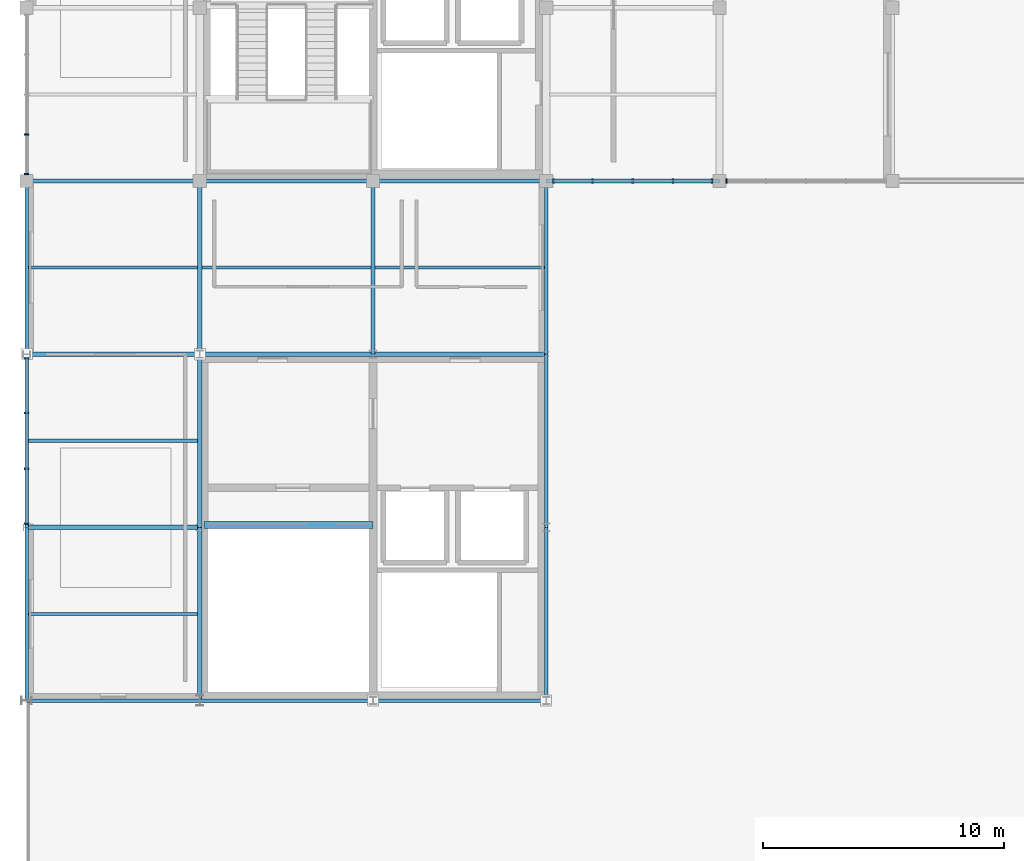
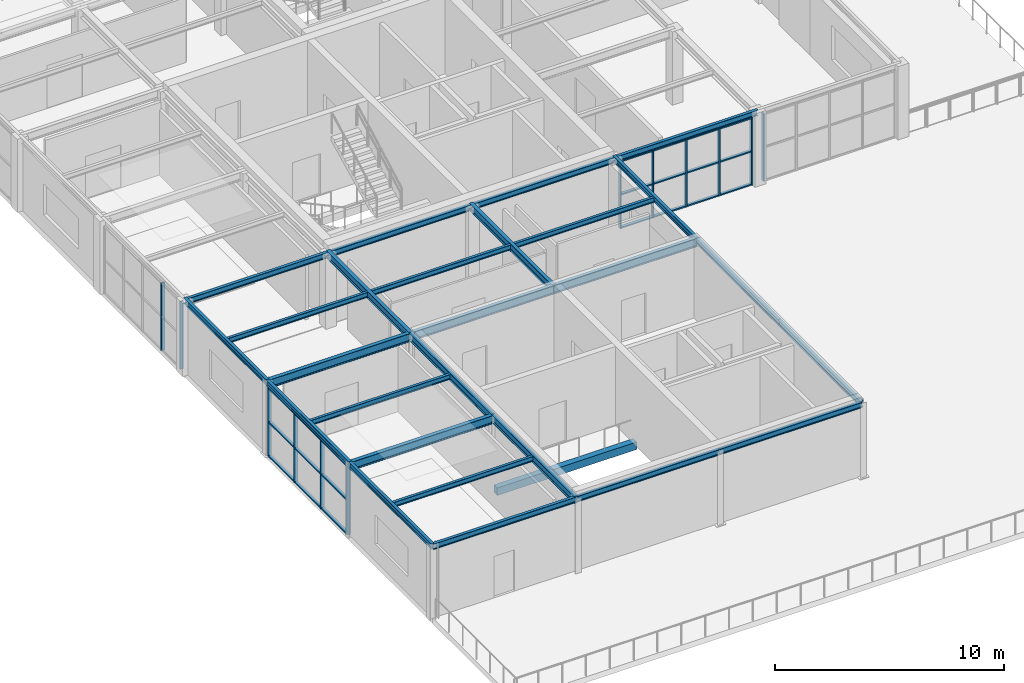
# One storey, part 7 of 30: 27 beams, 18 members, 4 elements without a shape of their own.
"""IFC4 building model written with IfcOpenShell, lengths in metres."""

from ifc_helpers import new_model, si_unit, direction, frame, origin, origin_2d, place, context, subcontext, project, spatial, rectangle, i_section, extrude, material, material_profile, profile_set, type_object, element, aggregate, save


model = new_model("IFC4")

# Units and contexts
model_context = context("Model", 3, precision=1e-05, world=origin(), true_north=direction((0.0, 1.0)))
body_context = subcontext(model_context, "Body", "Model", "MODEL_VIEW")
ifc_project = project(units=[si_unit("LENGTHUNIT", "METRE"), si_unit("AREAUNIT", "SQUARE_METRE"), si_unit("VOLUMEUNIT", "CUBIC_METRE"), si_unit("PLANEANGLEUNIT", "RADIAN"), si_unit("MASSUNIT", "GRAM", prefix="KILO")], contexts=[model_context])

# Site, building, storey
site_placement = place(None, origin())
site = spatial("IfcSite", under=ifc_project, at=site_placement, CompositionType="ELEMENT")
building_placement = place(site_placement, origin())
building = spatial("IfcBuilding", under=site, at=building_placement, Name="Leyfeld Transit Interchange", CompositionType="ELEMENT")
storey_placement = place(building_placement, frame((0.0, 0.0, 13.800048828125)))
storey = spatial("IfcBuildingStorey", under=building, at=storey_placement, Name="L03", CompositionType="ELEMENT", Elevation=13.800048828125)

# Beams
ifc_material_1 = material(Name="Concrete C35/45", Category="concrete")
ifc_material_profile_1 = material_profile(ifc_material_1, rectangle(XDim=0.300048828125, YDim=0.39990234375, at=origin_2d()), Name="RC 400x300")
ifc_profile_set_1 = profile_set([ifc_material_profile_1], Name="Concrete C35/45")
beam_type_1 = type_object("IfcBeamType", Name="BM-RC-400x300", PredefinedType="LINTEL", material=ifc_profile_set_1)
beam_1_placement = place(storey_placement, frame((7.375, 79.300048828125, -0.199951171875), z_axis=(1.0, 0.0, 0.0), x_axis=(0.0, 1.0, 0.0)))
element("IfcBeam", 1, at=beam_1_placement, inside=storey, type_object=beam_type_1, Name="Core K3 Floor Landing Corbel L03", PredefinedType="LINTEL", context=body_context, shape_type="SweptSolid", body=[
    extrude(rectangle(XDim=0.300048828125, YDim=0.39990234375, at=origin_2d()), origin(), (0.0, 0.0, 1.0), 7.02490234375),
])
ifc_material_2 = material(Name="Steel S355J2", Category="steel")
ifc_material_profile_2 = material_profile(ifc_material_2, i_section(OverallWidth=0.135009765625, OverallDepth=0.27001953125, WebThickness=0.006591796875, FlangeThickness=0.01025390625, FilletRadius=0.014892578125, at=origin_2d()), Name="IPE 270")
ifc_profile_set_2 = profile_set([ifc_material_profile_2], Name="Steel S355J2")
beam_type_2 = type_object("IfcBeamType", Name="BM-STL-IPE270", PredefinedType="BEAM", material=ifc_profile_set_2)
for number, where, z_axis, x_axis, name in (
    (2, (0.072021484375, 75.60009765625, 3.844970703125), (1.0, 0.0, 0.0), (0.0, 1.0, 0.0), "Beam BM-L03-0001_0756-0071_0756"),
    (3, (0.072021484375, 82.800048828125, 3.844970703125), (1.0, 0.0, 0.0), (0.0, 1.0, 0.0), "Beam BM-L03-0001_0828-0071_0828"),
    (4, (0.072021484375, 90.0, 3.844970703125), (1.0, 0.0, 0.0), (0.0, 1.0, 0.0), "Beam BM-L03-0001_0900-0071_0900"),
):
    element("IfcBeam", number, at=place(storey_placement, frame(where, z_axis=z_axis, x_axis=x_axis)), inside=storey, type_object=beam_type_2, Name=name, PredefinedType="BEAM", context=body_context, shape_type="SweptSolid", body=[
        extrude(i_section(OverallWidth=0.135009765625, OverallDepth=0.27001953125, WebThickness=0.006591796875, FlangeThickness=0.01025390625, FilletRadius=0.014892578125, at=origin_2d()), origin(), (0.0, 0.0, 1.0), 7.041015625),
    ])
beam_2_placement = place(storey_placement, frame((7.287109375, 90.0, 3.844970703125), z_axis=(1.0, 0.0, 0.0), x_axis=(0.0, 1.0, 0.0)))
element("IfcBeam", 5, at=beam_2_placement, inside=storey, type_object=beam_type_2, Name="Beam BM-L03-0073_0900-0143_0900", PredefinedType="BEAM", context=body_context, shape_type="SweptSolid", body=[
    extrude(i_section(OverallWidth=0.135009765625, OverallDepth=0.27001953125, WebThickness=0.006591796875, FlangeThickness=0.01025390625, FilletRadius=0.014892578125, at=origin_2d()), origin(), (0.0, 0.0, 1.0), 7.02587890625),
])
beam_3_placement = place(storey_placement, frame((14.487060546875, 90.0, 3.844970703125), z_axis=(1.0, 0.0, 0.0), x_axis=(0.0, 1.0, 0.0)))
element("IfcBeam", 6, at=beam_3_placement, inside=storey, type_object=beam_type_2, Name="Beam BM-L03-0145_0900-0215_0900", PredefinedType="BEAM", context=body_context, shape_type="SweptSolid", body=[
    extrude(i_section(OverallWidth=0.135009765625, OverallDepth=0.27001953125, WebThickness=0.006591796875, FlangeThickness=0.01025390625, FilletRadius=0.014892578125, at=origin_2d()), origin(), (0.0, 0.0, 1.0), 7.041015625),
])
ifc_material_profile_3 = material_profile(ifc_material_2, i_section(OverallWidth=0.14990234375, OverallDepth=0.300048828125, WebThickness=0.007080078125, FlangeThickness=0.0107421875, FilletRadius=0.014892578125, at=origin_2d()), Name="IPE 300")
ifc_profile_set_3 = profile_set([ifc_material_profile_3], Name="Steel S355J2")
beam_type_3 = type_object("IfcBeamType", Name="BM-STL-IPE300", PredefinedType="SPANDREL", material=ifc_profile_set_3)
for number, where, z_axis, x_axis, name in (
    (7, (0.0, 72.0, 3.829833984375), (0.0, 1.0, 0.0), (-1.0, 0.0, 0.0), "Beam BM-L03-0000_0720-0000_0792"),
    (8, (0.0, 79.199951171875, 3.829833984375), (0.0, 1.0, 0.0), (-1.0, 0.0, 0.0), "Beam BM-L03-0000_0792-0000_0864"),
):
    element("IfcBeam", number, at=place(storey_placement, frame(where, z_axis=z_axis, x_axis=x_axis)), inside=storey, type_object=beam_type_3, Name=name, PredefinedType="SPANDREL", context=body_context, shape_type="SweptSolid", body=[
        extrude(i_section(OverallWidth=0.14990234375, OverallDepth=0.300048828125, WebThickness=0.007080078125, FlangeThickness=0.0107421875, FilletRadius=0.014892578125, at=origin_2d()), origin(), (0.0, 0.0, 1.0), 7.199951171875),
    ])
beam_4_placement = place(storey_placement, frame((0.0, 86.39990234375, 3.829833984375), z_axis=(0.0, 1.0, 0.0), x_axis=(-1.0, 0.0, 0.0)))
element("IfcBeam", 9, at=beam_4_placement, inside=storey, type_object=beam_type_3, Name="Beam BM-L03-0000_0864-0000_0936", PredefinedType="SPANDREL", context=body_context, shape_type="SweptSolid", body=[
    extrude(i_section(OverallWidth=0.14990234375, OverallDepth=0.300048828125, WebThickness=0.007080078125, FlangeThickness=0.0107421875, FilletRadius=0.014892578125, at=origin_2d()), origin(), (0.0, 0.0, 1.0), 7.2001953125),
])
for number, where, z_axis, x_axis, name in (
    (10, (21.60009765625, 72.0, 3.829833984375), (0.0, 1.0, 0.0), (-1.0, 0.0, 0.0), "Beam BM-L03-0216_0720-0216_0792"),
    (11, (21.60009765625, 79.199951171875, 3.829833984375), (0.0, 1.0, 0.0), (-1.0, 0.0, 0.0), "Beam BM-L03-0216_0792-0216_0864"),
):
    element("IfcBeam", number, at=place(storey_placement, frame(where, z_axis=z_axis, x_axis=x_axis)), inside=storey, type_object=beam_type_3, Name=name, PredefinedType="SPANDREL", context=body_context, shape_type="SweptSolid", body=[
        extrude(i_section(OverallWidth=0.14990234375, OverallDepth=0.300048828125, WebThickness=0.007080078125, FlangeThickness=0.0107421875, FilletRadius=0.014892578125, at=origin_2d()), origin(), (0.0, 0.0, 1.0), 7.199951171875),
    ])
beam_5_placement = place(storey_placement, frame((21.60009765625, 86.39990234375, 3.829833984375), z_axis=(0.0, 1.0, 0.0), x_axis=(-1.0, 0.0, 0.0)))
element("IfcBeam", 12, at=beam_5_placement, inside=storey, type_object=beam_type_3, Name="Beam BM-L03-0216_0864-0216_0936", PredefinedType="SPANDREL", context=body_context, shape_type="SweptSolid", body=[
    extrude(i_section(OverallWidth=0.14990234375, OverallDepth=0.300048828125, WebThickness=0.007080078125, FlangeThickness=0.0107421875, FilletRadius=0.014892578125, at=origin_2d()), origin(), (0.0, 0.0, 1.0), 7.2001953125),
])
for number, where, z_axis, x_axis, name in (
    (13, (0.0, 72.0, 3.829833984375), (1.0, 0.0, 0.0), (0.0, 1.0, 0.0), "Beam BM-L03-0000_0720-0072_0720"),
    (14, (7.199951171875, 72.0, 3.829833984375), (1.0, 0.0, 0.0), (0.0, 1.0, 0.0), "Beam BM-L03-0072_0720-0144_0720"),
):
    element("IfcBeam", number, at=place(storey_placement, frame(where, z_axis=z_axis, x_axis=x_axis)), inside=storey, type_object=beam_type_3, Name=name, PredefinedType="SPANDREL", context=body_context, shape_type="SweptSolid", body=[
        extrude(i_section(OverallWidth=0.14990234375, OverallDepth=0.300048828125, WebThickness=0.007080078125, FlangeThickness=0.0107421875, FilletRadius=0.014892578125, at=origin_2d()), origin(), (0.0, 0.0, 1.0), 7.199951171875),
    ])
beam_6_placement = place(storey_placement, frame((14.39990234375, 72.0, 3.829833984375), z_axis=(1.0, 0.0, 0.0), x_axis=(0.0, 1.0, 0.0)))
element("IfcBeam", 15, at=beam_6_placement, inside=storey, type_object=beam_type_3, Name="Beam BM-L03-0144_0720-0216_0720", PredefinedType="SPANDREL", context=body_context, shape_type="SweptSolid", body=[
    extrude(i_section(OverallWidth=0.14990234375, OverallDepth=0.300048828125, WebThickness=0.007080078125, FlangeThickness=0.0107421875, FilletRadius=0.014892578125, at=origin_2d()), origin(), (0.0, 0.0, 1.0), 7.2001953125),
])
for number, where, z_axis, x_axis, name in (
    (16, (0.0, 93.60009765625, 3.75), (1.0, 0.0, 0.0), (0.0, 1.0, 0.0), "Beam BM-L03-0000_0936-0072_0936"),
    (17, (7.199951171875, 93.60009765625, 3.75), (1.0, 0.0, 0.0), (0.0, 1.0, 0.0), "Beam BM-L03-0072_0936-0144_0936"),
):
    element("IfcBeam", number, at=place(storey_placement, frame(where, z_axis=z_axis, x_axis=x_axis)), inside=storey, type_object=beam_type_3, Name=name, PredefinedType="SPANDREL", context=body_context, shape_type="SweptSolid", body=[
        extrude(i_section(OverallWidth=0.14990234375, OverallDepth=0.300048828125, WebThickness=0.007080078125, FlangeThickness=0.0107421875, FilletRadius=0.014892578125, at=origin_2d()), origin(), (0.0, 0.0, 1.0), 7.199951171875),
    ])
beam_7_placement = place(storey_placement, frame((14.39990234375, 93.60009765625, 3.75), z_axis=(1.0, 0.0, 0.0), x_axis=(0.0, 1.0, 0.0)))
element("IfcBeam", 18, at=beam_7_placement, inside=storey, type_object=beam_type_3, Name="Beam BM-L03-0144_0936-0216_0936", PredefinedType="SPANDREL", context=body_context, shape_type="SweptSolid", body=[
    extrude(i_section(OverallWidth=0.14990234375, OverallDepth=0.300048828125, WebThickness=0.007080078125, FlangeThickness=0.0107421875, FilletRadius=0.014892578125, at=origin_2d()), origin(), (0.0, 0.0, 1.0), 7.2001953125),
])
beam_8_placement = place(storey_placement, frame((21.60009765625, 93.60009765625, 3.75), z_axis=(1.0, 0.0, 0.0), x_axis=(0.0, 1.0, 0.0)))
element("IfcBeam", 19, at=beam_8_placement, inside=storey, type_object=beam_type_3, Name="Beam BM-L03-0216_0936-0288_0936", PredefinedType="SPANDREL", context=body_context, shape_type="SweptSolid", body=[
    extrude(i_section(OverallWidth=0.14990234375, OverallDepth=0.300048828125, WebThickness=0.007080078125, FlangeThickness=0.0107421875, FilletRadius=0.014892578125, at=origin_2d()), origin(), (0.0, 0.0, 1.0), 7.199951171875),
])
ifc_material_profile_4 = material_profile(ifc_material_2, i_section(OverallWidth=0.179931640625, OverallDepth=0.39990234375, WebThickness=0.008544921875, FlangeThickness=0.013427734375, FilletRadius=0.02099609375, at=origin_2d()), Name="IPE 400")
ifc_profile_set_4 = profile_set([ifc_material_profile_4], Name="Steel S355J2")
beam_type_4 = type_object("IfcBeamType", Name="BM-STL-IPE400", PredefinedType="BEAM", material=ifc_profile_set_4)
for number, where, z_axis, x_axis, name in (
    (20, (7.199951171875, 72.0, 3.780029296875), (0.0, 1.0, 0.0), (-1.0, 0.0, 0.0), "Beam BM-L03-0072_0720-0072_0792"),
    (21, (7.199951171875, 79.199951171875, 3.780029296875), (0.0, 1.0, 0.0), (-1.0, 0.0, 0.0), "Beam BM-L03-0072_0792-0072_0864"),
):
    element("IfcBeam", number, at=place(storey_placement, frame(where, z_axis=z_axis, x_axis=x_axis)), inside=storey, type_object=beam_type_4, Name=name, PredefinedType="BEAM", context=body_context, shape_type="SweptSolid", body=[
        extrude(i_section(OverallWidth=0.179931640625, OverallDepth=0.39990234375, WebThickness=0.008544921875, FlangeThickness=0.013427734375, FilletRadius=0.02099609375, at=origin_2d()), origin(), (0.0, 0.0, 1.0), 7.199951171875),
    ])
for number, where, z_axis, x_axis, name in (
    (22, (7.199951171875, 86.39990234375, 3.780029296875), (0.0, 1.0, 0.0), (-1.0, 0.0, 0.0), "Beam BM-L03-0072_0864-0072_0936"),
    (23, (14.39990234375, 86.39990234375, 3.780029296875), (0.0, 1.0, 0.0), (-1.0, 0.0, 0.0), "Beam BM-L03-0144_0864-0144_0936"),
):
    element("IfcBeam", number, at=place(storey_placement, frame(where, z_axis=z_axis, x_axis=x_axis)), inside=storey, type_object=beam_type_4, Name=name, PredefinedType="BEAM", context=body_context, shape_type="SweptSolid", body=[
        extrude(i_section(OverallWidth=0.179931640625, OverallDepth=0.39990234375, WebThickness=0.008544921875, FlangeThickness=0.013427734375, FilletRadius=0.02099609375, at=origin_2d()), origin(), (0.0, 0.0, 1.0), 7.2001953125),
    ])
ifc_material_profile_5 = material_profile(ifc_material_2, i_section(OverallWidth=0.18994140625, OverallDepth=0.449951171875, WebThickness=0.009521484375, FlangeThickness=0.0146484375, FilletRadius=0.02099609375, at=origin_2d()), Name="IPE 450")
ifc_profile_set_5 = profile_set([ifc_material_profile_5], Name="Steel S355J2")
beam_type_5 = type_object("IfcBeamType", Name="BM-STL-IPE450", PredefinedType="BEAM", material=ifc_profile_set_5)
for number, where, z_axis, x_axis, name in (
    (24, (0.0, 79.199951171875, 3.7548828125), (1.0, 0.0, 0.0), (0.0, 1.0, 0.0), "Beam BM-L03-0000_0792-0072_0792"),
    (25, (0.0, 86.39990234375, 3.7548828125), (1.0, 0.0, 0.0), (0.0, 1.0, 0.0), "Beam BM-L03-0000_0864-0072_0864"),
    (26, (7.199951171875, 86.39990234375, 3.7548828125), (1.0, 0.0, 0.0), (0.0, 1.0, 0.0), "Beam BM-L03-0072_0864-0144_0864"),
):
    element("IfcBeam", number, at=place(storey_placement, frame(where, z_axis=z_axis, x_axis=x_axis)), inside=storey, type_object=beam_type_5, Name=name, PredefinedType="BEAM", context=body_context, shape_type="SweptSolid", body=[
        extrude(i_section(OverallWidth=0.18994140625, OverallDepth=0.449951171875, WebThickness=0.009521484375, FlangeThickness=0.0146484375, FilletRadius=0.02099609375, at=origin_2d()), origin(), (0.0, 0.0, 1.0), 7.199951171875),
    ])
beam_9_placement = place(storey_placement, frame((14.39990234375, 86.39990234375, 3.7548828125), z_axis=(1.0, 0.0, 0.0), x_axis=(0.0, 1.0, 0.0)))
element("IfcBeam", 27, at=beam_9_placement, inside=storey, type_object=beam_type_5, Name="Beam BM-L03-0144_0864-0216_0864", PredefinedType="BEAM", context=body_context, shape_type="SweptSolid", body=[
    extrude(i_section(OverallWidth=0.18994140625, OverallDepth=0.449951171875, WebThickness=0.009521484375, FlangeThickness=0.0146484375, FilletRadius=0.02099609375, at=origin_2d()), origin(), (0.0, 0.0, 1.0), 7.2001953125),
])

# Curtain wall, members
ifc_material_3 = material(Name="Anodised aluminium EN AW-6060 T66", Category="aluminium")
curtain_wall_type_1 = type_object("IfcCurtainWallType", Name="CW-SYS-CYC-7200", PredefinedType="NOTDEFINED", material=ifc_material_3)
curtain_wall_1_placement = place(storey_placement, origin())
curtain_wall_1 = element("IfcCurtainWall", 28, at=curtain_wall_1_placement, inside=storey, type_object=curtain_wall_type_1, Name="Curtain Wall CW-L03-120", PredefinedType="NOTDEFINED")
ifc_material_profile_6 = material_profile(ifc_material_3, rectangle(XDim=0.06494140625, YDim=0.179931640625, at=origin_2d()), Name="CW-M 65x180")
ifc_profile_set_6 = profile_set([ifc_material_profile_6], Name="Anodised aluminium EN AW-6060 T66")
member_type_1 = type_object("IfcMemberType", Name="CW-MUL-150x65", PredefinedType="MULLION", material=ifc_profile_set_6)
member_1_placement = place(storey_placement, frame((0.0, 79.362548828125, 0.0), z_axis=(0.0, 0.0, 1.0), x_axis=(0.0, 1.0, 0.0)))
member_1 = element("IfcMember", 29, at=member_1_placement, type_object=member_type_1, Name="Curtain Mullion CW-L03-120-M01", PredefinedType="MULLION", context=body_context, shape_type="SweptSolid", body=[
    extrude(rectangle(XDim=0.06494140625, YDim=0.179931640625, at=origin_2d()), origin(), (0.0, 0.0, 1.0), 3.679931640625),
])
member_2_placement = place(storey_placement, frame((0.0, 81.63818359375, 0.0), z_axis=(0.0, 0.0, 1.0), x_axis=(0.0, 1.0, 0.0)))
member_2 = element("IfcMember", 30, at=member_2_placement, type_object=member_type_1, Name="Curtain Mullion CW-L03-120-M02", PredefinedType="MULLION", context=body_context, shape_type="SweptSolid", body=[
    extrude(rectangle(XDim=0.06494140625, YDim=0.179931640625, at=origin_2d()), origin(), (0.0, 0.0, 1.0), 3.679931640625),
])
member_3_placement = place(storey_placement, frame((0.0, 83.94677734375, 0.0), z_axis=(0.0, 0.0, 1.0), x_axis=(0.0, 1.0, 0.0)))
member_3 = element("IfcMember", 31, at=member_3_placement, type_object=member_type_1, Name="Curtain Mullion CW-L03-120-M03", PredefinedType="MULLION", context=body_context, shape_type="SweptSolid", body=[
    extrude(rectangle(XDim=0.06494140625, YDim=0.179931640625, at=origin_2d()), origin(), (0.0, 0.0, 1.0), 3.679931640625),
])
member_4_placement = place(storey_placement, frame((0.0, 86.222412109375, 0.0), z_axis=(0.0, 0.0, 1.0), x_axis=(0.0, 1.0, 0.0)))
member_4 = element("IfcMember", 32, at=member_4_placement, type_object=member_type_1, Name="Curtain Mullion CW-L03-120-M04", PredefinedType="MULLION", context=body_context, shape_type="SweptSolid", body=[
    extrude(rectangle(XDim=0.06494140625, YDim=0.179931640625, at=origin_2d()), origin(), (0.0, 0.0, 1.0), 3.679931640625),
])

curtain_wall_type_2 = type_object("IfcCurtainWallType", Name="CW-SYS-OPS-7200", PredefinedType="NOTDEFINED", material=ifc_material_3)
curtain_wall_2_placement = place(storey_placement, origin())
curtain_wall_2 = element("IfcCurtainWall", 33, at=curtain_wall_2_placement, inside=storey, type_object=curtain_wall_type_2, Name="Curtain Wall CW-L03-121", PredefinedType="NOTDEFINED")
member_5_placement = place(storey_placement, frame((0.0, 93.8974609375, 0.0), z_axis=(0.0, 0.0, 1.0), x_axis=(0.0, 1.0, 0.0)))
member_5 = element("IfcMember", 34, at=member_5_placement, type_object=member_type_1, Name="Curtain Mullion CW-L03-121-M01", PredefinedType="MULLION", context=body_context, shape_type="SweptSolid", body=[
    extrude(rectangle(XDim=0.06494140625, YDim=0.179931640625, at=origin_2d()), origin(), (0.0, 0.0, 1.0), 3.599853515625),
])
member_6_placement = place(storey_placement, frame((0.0, 95.532470703125, 0.0), z_axis=(0.0, 0.0, 1.0), x_axis=(0.0, 1.0, 0.0)))
member_6 = element("IfcMember", 35, at=member_6_placement, type_object=member_type_1, Name="Curtain Mullion CW-L03-121-M02", PredefinedType="MULLION", context=body_context, shape_type="SweptSolid", body=[
    extrude(rectangle(XDim=0.06494140625, YDim=0.179931640625, at=origin_2d()), origin(), (0.0, 0.0, 1.0), 3.599853515625),
])
aggregate(curtain_wall_2, [member_5, member_6])

# Curtain wall, member
curtain_wall_3_placement = place(storey_placement, origin())
curtain_wall_3 = element("IfcCurtainWall", 36, at=curtain_wall_3_placement, inside=storey, type_object=curtain_wall_type_2, Name="Curtain Wall CW-L03-126", PredefinedType="NOTDEFINED")
member_7_placement = place(storey_placement, frame((29.097412109375, 93.60009765625, 0.0), z_axis=(0.0, 0.0, 1.0), x_axis=(-1.0, 0.0, 0.0)))
member_7 = element("IfcMember", 37, at=member_7_placement, type_object=member_type_1, Name="Curtain Mullion CW-L03-126-M05", PredefinedType="MULLION", context=body_context, shape_type="SweptSolid", body=[
    extrude(rectangle(XDim=0.06494140625, YDim=0.179931640625, at=origin_2d()), origin(), (0.0, 0.0, 1.0), 3.599853515625),
])
aggregate(curtain_wall_3, [member_7])

# Curtain wall, members
curtain_wall_4_placement = place(storey_placement, origin())
curtain_wall_4 = element("IfcCurtainWall", 38, at=curtain_wall_4_placement, inside=storey, type_object=curtain_wall_type_2, Name="Curtain Wall CW-L03-127", PredefinedType="NOTDEFINED")
member_8_placement = place(storey_placement, frame((28.50244140625, 93.60009765625, 0.0), z_axis=(0.0, 0.0, 1.0), x_axis=(-1.0, 0.0, 0.0)))
member_8 = element("IfcMember", 39, at=member_8_placement, type_object=member_type_1, Name="Curtain Mullion CW-L03-127-M01", PredefinedType="MULLION", context=body_context, shape_type="SweptSolid", body=[
    extrude(rectangle(XDim=0.06494140625, YDim=0.179931640625, at=origin_2d()), origin(), (0.0, 0.0, 1.0), 3.599853515625),
])
member_9_placement = place(storey_placement, frame((26.867431640625, 93.60009765625, 0.0), z_axis=(0.0, 0.0, 1.0), x_axis=(-1.0, 0.0, 0.0)))
member_9 = element("IfcMember", 40, at=member_9_placement, type_object=member_type_1, Name="Curtain Mullion CW-L03-127-M02", PredefinedType="MULLION", context=body_context, shape_type="SweptSolid", body=[
    extrude(rectangle(XDim=0.06494140625, YDim=0.179931640625, at=origin_2d()), origin(), (0.0, 0.0, 1.0), 3.599853515625),
])
member_10_placement = place(storey_placement, frame((25.199951171875, 93.60009765625, 0.0), z_axis=(0.0, 0.0, 1.0), x_axis=(-1.0, 0.0, 0.0)))
member_10 = element("IfcMember", 41, at=member_10_placement, type_object=member_type_1, Name="Curtain Mullion CW-L03-127-M03", PredefinedType="MULLION", context=body_context, shape_type="SweptSolid", body=[
    extrude(rectangle(XDim=0.06494140625, YDim=0.179931640625, at=origin_2d()), origin(), (0.0, 0.0, 1.0), 3.599853515625),
])
member_11_placement = place(storey_placement, frame((23.532470703125, 93.60009765625, 0.0), z_axis=(0.0, 0.0, 1.0), x_axis=(-1.0, 0.0, 0.0)))
member_11 = element("IfcMember", 42, at=member_11_placement, type_object=member_type_1, Name="Curtain Mullion CW-L03-127-M04", PredefinedType="MULLION", context=body_context, shape_type="SweptSolid", body=[
    extrude(rectangle(XDim=0.06494140625, YDim=0.179931640625, at=origin_2d()), origin(), (0.0, 0.0, 1.0), 3.599853515625),
])
member_12_placement = place(storey_placement, frame((21.8974609375, 93.60009765625, 0.0), z_axis=(0.0, 0.0, 1.0), x_axis=(-1.0, 0.0, 0.0)))
member_12 = element("IfcMember", 43, at=member_12_placement, type_object=member_type_1, Name="Curtain Mullion CW-L03-127-M05", PredefinedType="MULLION", context=body_context, shape_type="SweptSolid", body=[
    extrude(rectangle(XDim=0.06494140625, YDim=0.179931640625, at=origin_2d()), origin(), (0.0, 0.0, 1.0), 3.599853515625),
])

# Member
ifc_material_profile_7 = material_profile(ifc_material_3, rectangle(XDim=0.14990234375, YDim=0.06494140625, at=origin_2d()), Name="CW-TRN-135x65")
ifc_profile_set_7 = profile_set([ifc_material_profile_7], Name="Anodised aluminium EN AW-6060 T66")
member_type_2 = type_object("IfcMemberType", Name="CW-TRN-135x65", PredefinedType="USERDEFINED", material=ifc_profile_set_7)
member_13_placement = place(storey_placement, frame((0.0, 79.330078125, 0.032470703125), z_axis=(0.0, 1.0, 0.0), x_axis=(-1.0, 0.0, 0.0)))
member_13 = element("IfcMember", 44, at=member_13_placement, type_object=member_type_2, Name="Curtain Transom CW-L03-120-T01", ObjectType="TRANSOM", PredefinedType="USERDEFINED", context=body_context, shape_type="SweptSolid", body=[
    extrude(rectangle(XDim=0.14990234375, YDim=0.06494140625, at=origin_2d()), origin(), (0.0, 0.0, 1.0), 6.9248046875),
])

member_14_placement = place(storey_placement, frame((0.0, 79.330078125, 1.83984375), z_axis=(0.0, 1.0, 0.0), x_axis=(-1.0, 0.0, 0.0)))
member_14 = element("IfcMember", 45, at=member_14_placement, type_object=member_type_2, Name="Curtain Transom CW-L03-120-T02", ObjectType="TRANSOM", PredefinedType="USERDEFINED", context=body_context, shape_type="SweptSolid", body=[
    extrude(rectangle(XDim=0.14990234375, YDim=0.06494140625, at=origin_2d()), origin(), (0.0, 0.0, 1.0), 6.9248046875),
])

member_15_placement = place(storey_placement, frame((0.0, 79.330078125, 3.6474609375), z_axis=(0.0, 1.0, 0.0), x_axis=(-1.0, 0.0, 0.0)))
member_15 = element("IfcMember", 46, at=member_15_placement, type_object=member_type_2, Name="Curtain Transom CW-L03-120-T03", ObjectType="TRANSOM", PredefinedType="USERDEFINED", context=body_context, shape_type="SweptSolid", body=[
    extrude(rectangle(XDim=0.14990234375, YDim=0.06494140625, at=origin_2d()), origin(), (0.0, 0.0, 1.0), 6.9248046875),
])

aggregate(curtain_wall_1, [member_1, member_2, member_3, member_4, member_13, member_14, member_15])

member_16_placement = place(storey_placement, frame((28.534912109375, 93.60009765625, 0.032470703125), z_axis=(-1.0, 0.0, 0.0), x_axis=(0.0, -1.0, 0.0)))
member_16 = element("IfcMember", 47, at=member_16_placement, type_object=member_type_2, Name="Curtain Transom CW-L03-127-T01", ObjectType="TRANSOM", PredefinedType="USERDEFINED", context=body_context, shape_type="SweptSolid", body=[
    extrude(rectangle(XDim=0.14990234375, YDim=0.06494140625, at=origin_2d()), origin(), (0.0, 0.0, 1.0), 6.669921875),
])

member_17_placement = place(storey_placement, frame((28.534912109375, 93.60009765625, 1.800048828125), z_axis=(-1.0, 0.0, 0.0), x_axis=(0.0, -1.0, 0.0)))
member_17 = element("IfcMember", 48, at=member_17_placement, type_object=member_type_2, Name="Curtain Transom CW-L03-127-T02", ObjectType="TRANSOM", PredefinedType="USERDEFINED", context=body_context, shape_type="SweptSolid", body=[
    extrude(rectangle(XDim=0.14990234375, YDim=0.06494140625, at=origin_2d()), origin(), (0.0, 0.0, 1.0), 6.669921875),
])

member_18_placement = place(storey_placement, frame((28.534912109375, 93.60009765625, 3.5673828125), z_axis=(-1.0, 0.0, 0.0), x_axis=(0.0, -1.0, 0.0)))
member_18 = element("IfcMember", 49, at=member_18_placement, type_object=member_type_2, Name="Curtain Transom CW-L03-127-T03", ObjectType="TRANSOM", PredefinedType="USERDEFINED", context=body_context, shape_type="SweptSolid", body=[
    extrude(rectangle(XDim=0.14990234375, YDim=0.06494140625, at=origin_2d()), origin(), (0.0, 0.0, 1.0), 6.669921875),
])

aggregate(curtain_wall_4, [member_8, member_9, member_10, member_11, member_12, member_16, member_17, member_18])

save(model, "model.ifc")
